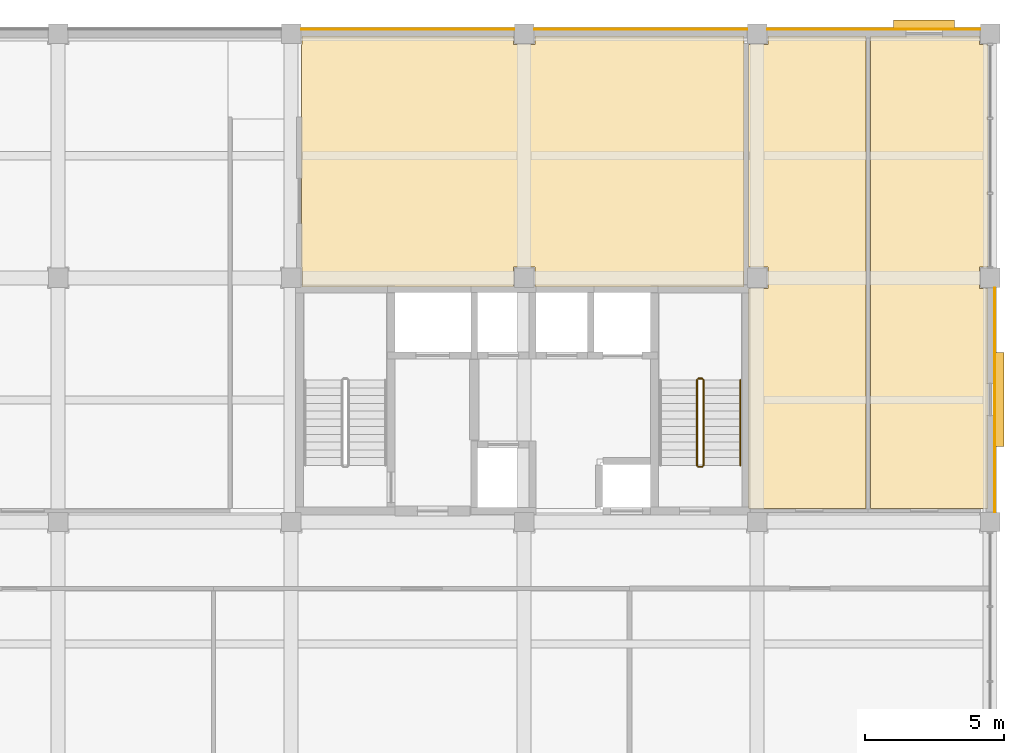
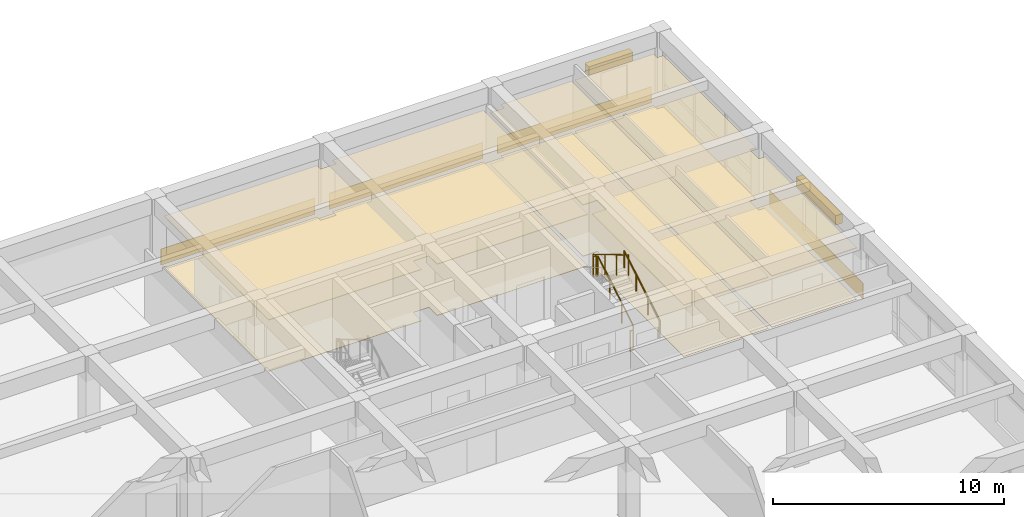
# One storey, part 8 of 8: 10 coverings, 5 railings, 2 shading devices.
"""IFC4 building model written with IfcOpenShell, lengths in metres."""

from ifc_helpers import new_model, si_unit, direction, frame, origin, origin_2d, place, context, subcontext, project, spatial, polyline, rectangle, circle, outline, extrude, material, layer, layer_set, type_object, element, save


model = new_model("IFC4")

# Units and contexts
model_context = context("Model", 3, precision=1e-05, world=origin(), true_north=direction((0.0, 1.0)))
body_context = subcontext(model_context, "Body", "Model", "MODEL_VIEW")
ifc_project = project(units=[si_unit("LENGTHUNIT", "METRE"), si_unit("AREAUNIT", "SQUARE_METRE"), si_unit("VOLUMEUNIT", "CUBIC_METRE"), si_unit("PLANEANGLEUNIT", "RADIAN"), si_unit("MASSUNIT", "GRAM", prefix="KILO")], contexts=[model_context])

# Site, building, storey
site_placement = place(None, origin())
site = spatial("IfcSite", under=ifc_project, at=site_placement, CompositionType="ELEMENT")
building_placement = place(site_placement, origin())
building = spatial("IfcBuilding", under=site, at=building_placement, Name="Kemercrest Conservatory and Botanical Centre", CompositionType="ELEMENT")
storey_placement = place(building_placement, frame((0.0, 0.0, 24.800048828125)))
storey = spatial("IfcBuildingStorey", under=building, at=storey_placement, Name="L06", CompositionType="ELEMENT", Elevation=24.800048828125)

# Coverings
ifc_material_1 = material(Name="Glazed turquoise ceramic tile spandrel", Category="masonry")
ifc_layer_1 = layer(ifc_material_1, 0.028076171875)
ifc_layer_set_1 = layer_set([ifc_layer_1], Name="Glazed turquoise ceramic tile spandrel")
covering_type_1 = type_object("IfcCoveringType", Name="CV-CLD028", PredefinedType="CLADDING", material=ifc_layer_set_1)
covering_1_placement = place(storey_placement, origin())
element("IfcCovering", 1, at=covering_1_placement, inside=storey, type_object=covering_type_1, Name="Exterior stone spandrel cladding (WAL:L06:EXT-254)", PredefinedType="CLADDING", context=body_context, shape_type="SweptSolid", body=[
    extrude(outline(polyline([(176.14990234375, 105.159912109375), (176.177978515625, 105.159912109375), (176.177978515625, 113.239990234375), (176.14990234375, 113.239990234375), (176.14990234375, 105.159912109375)])), origin(), (0.0, 0.0, 1.0), 0.849853515625),
])
covering_2_placement = place(storey_placement, origin())
element("IfcCovering", 2, at=covering_2_placement, inside=storey, type_object=covering_type_1, Name="Exterior stone spandrel cladding (WAL:L06:EXT-255)", PredefinedType="CLADDING", context=body_context, shape_type="SweptSolid", body=[
    extrude(outline(polyline([(175.639892578125, 122.550048828125), (175.639892578125, 122.577880859375), (167.9599609375, 122.577880859375), (167.9599609375, 122.550048828125), (175.639892578125, 122.550048828125)])), origin(), (0.0, 0.0, 1.0), 0.849853515625),
])
covering_3_placement = place(storey_placement, origin())
element("IfcCovering", 3, at=covering_3_placement, inside=storey, type_object=covering_type_1, Name="Exterior stone spandrel cladding (WAL:L06:EXT-256)", PredefinedType="CLADDING", context=body_context, shape_type="SweptSolid", body=[
    extrude(outline(polyline([(167.239990234375, 122.550048828125), (167.239990234375, 122.577880859375), (159.56005859375, 122.577880859375), (159.56005859375, 122.550048828125), (167.239990234375, 122.550048828125)])), origin(), (0.0, 0.0, 1.0), 0.849853515625),
])
covering_4_placement = place(storey_placement, origin())
element("IfcCovering", 4, at=covering_4_placement, inside=storey, type_object=covering_type_1, Name="Exterior stone spandrel cladding (WAL:L06:EXT-257)", PredefinedType="CLADDING", context=body_context, shape_type="SweptSolid", body=[
    extrude(outline(polyline([(158.840087890625, 122.550048828125), (158.840087890625, 122.577880859375), (151.159912109375, 122.577880859375), (151.159912109375, 122.550048828125), (158.840087890625, 122.550048828125)])), origin(), (0.0, 0.0, 1.0), 0.849853515625),
])
ifc_material_2 = material(Name="Perforated acoustic gypsum and mineral-fibre suspended ceiling", Category="gypsum")
ifc_layer_2 = layer(ifc_material_2, 0.034912109375)
ifc_layer_set_2 = layer_set([ifc_layer_2], Name="Perforated acoustic gypsum and mineral-fibre suspended ceiling")
covering_type_2 = type_object("IfcCoveringType", Name="CV-CLG035", PredefinedType="CEILING", material=ifc_layer_set_2)
covering_5_placement = place(storey_placement, frame((0.0, 0.0, 2.699951171875)))
element("IfcCovering", 5, at=covering_5_placement, inside=storey, type_object=covering_type_2, Name="Herbarium Archival Vault suspended acoustic ceiling", PredefinedType="CEILING", context=body_context, shape_type="SweptSolid", body=[
    extrude(outline(polyline([(159.590087890625, 113.280029296875), (167.1201171875, 113.280029296875), (167.1201171875, 122.320068359375), (159.590087890625, 122.320068359375), (159.590087890625, 122.010009765625), (158.81005859375, 122.010009765625), (158.81005859375, 122.320068359375), (151.18994140625, 122.320068359375), (151.18994140625, 122.010009765625), (151.179931640625, 122.010009765625), (151.179931640625, 113.989990234375), (151.18994140625, 113.989990234375), (151.18994140625, 113.280029296875), (158.81005859375, 113.280029296875), (158.81005859375, 113.989990234375), (159.590087890625, 113.989990234375), (159.590087890625, 113.280029296875)])), origin(), (0.0, 0.0, 1.0), 0.034912109375),
])
covering_6_placement = place(storey_placement, frame((0.0, 0.0, 2.699951171875)))
element("IfcCovering", 6, at=covering_6_placement, inside=storey, type_object=covering_type_2, Name="Staff Washroom suspended acoustic ceiling", PredefinedType="CEILING", context=body_context, shape_type="SweptSolid", body=[
    extrude(outline(polyline([(167.280029296875, 105.280029296875), (171.52001953125, 105.280029296875), (171.52001953125, 122.320068359375), (167.989990234375, 122.320068359375), (167.989990234375, 122.010009765625), (167.280029296875, 122.010009765625), (167.280029296875, 113.989990234375), (167.989990234375, 113.989990234375), (167.989990234375, 113.2099609375), (167.280029296875, 113.2099609375), (167.280029296875, 105.280029296875)])), origin(), (0.0, 0.0, 1.0), 0.034912109375),
])
covering_7_placement = place(storey_placement, frame((0.0, 0.0, 2.699951171875)))
element("IfcCovering", 7, at=covering_7_placement, inside=storey, type_object=covering_type_2, Name="Accessible Washroom suspended acoustic ceiling", PredefinedType="CEILING", context=body_context, shape_type="SweptSolid", body=[
    extrude(outline(polyline([(171.679931640625, 105.280029296875), (175.919921875, 105.280029296875), (175.919921875, 113.2099609375), (175.610107421875, 113.2099609375), (175.610107421875, 113.989990234375), (175.919921875, 113.989990234375), (175.919921875, 122.010009765625), (175.610107421875, 122.010009765625), (175.610107421875, 122.320068359375), (171.679931640625, 122.320068359375), (171.679931640625, 105.280029296875)])), origin(), (0.0, 0.0, 1.0), 0.034912109375),
])
ifc_material_3 = material(Name="Polished limestone terrazzo and seamless laboratory epoxy flooring", Category="masonry")
ifc_layer_3 = layer(ifc_material_3, 0.02001953125)
ifc_layer_set_3 = layer_set([ifc_layer_3], Name="Polished limestone terrazzo and seamless laboratory epoxy flooring")
covering_type_3 = type_object("IfcCoveringType", Name="CV-FLR020", PredefinedType="FLOORING", material=ifc_layer_set_3)
covering_8_placement = place(storey_placement, origin())
element("IfcCovering", 8, at=covering_8_placement, inside=storey, type_object=covering_type_3, Name="Herbarium Archival Vault floor finish", PredefinedType="FLOORING", context=body_context, shape_type="SweptSolid", body=[
    extrude(outline(polyline([(159.590087890625, 113.280029296875), (167.1201171875, 113.280029296875), (167.1201171875, 122.320068359375), (159.590087890625, 122.320068359375), (159.590087890625, 122.010009765625), (158.81005859375, 122.010009765625), (158.81005859375, 122.320068359375), (151.18994140625, 122.320068359375), (151.18994140625, 122.010009765625), (151.179931640625, 122.010009765625), (151.179931640625, 113.989990234375), (151.18994140625, 113.989990234375), (151.18994140625, 113.280029296875), (158.81005859375, 113.280029296875), (158.81005859375, 113.989990234375), (159.590087890625, 113.989990234375), (159.590087890625, 113.280029296875)])), origin(), (0.0, 0.0, 1.0), 0.02001953125),
])
covering_9_placement = place(storey_placement, origin())
element("IfcCovering", 9, at=covering_9_placement, inside=storey, type_object=covering_type_3, Name="Staff Washroom floor finish", PredefinedType="FLOORING", context=body_context, shape_type="SweptSolid", body=[
    extrude(outline(polyline([(167.280029296875, 105.280029296875), (171.52001953125, 105.280029296875), (171.52001953125, 122.320068359375), (167.989990234375, 122.320068359375), (167.989990234375, 122.010009765625), (167.280029296875, 122.010009765625), (167.280029296875, 113.989990234375), (167.989990234375, 113.989990234375), (167.989990234375, 113.2099609375), (167.280029296875, 113.2099609375), (167.280029296875, 105.280029296875)])), origin(), (0.0, 0.0, 1.0), 0.02001953125),
])
covering_10_placement = place(storey_placement, origin())
element("IfcCovering", 10, at=covering_10_placement, inside=storey, type_object=covering_type_3, Name="Accessible Washroom floor finish", PredefinedType="FLOORING", context=body_context, shape_type="SweptSolid", body=[
    extrude(outline(polyline([(171.679931640625, 105.280029296875), (175.919921875, 105.280029296875), (175.919921875, 113.2099609375), (175.610107421875, 113.2099609375), (175.610107421875, 113.989990234375), (175.919921875, 113.989990234375), (175.919921875, 122.010009765625), (175.610107421875, 122.010009765625), (175.610107421875, 122.320068359375), (171.679931640625, 122.320068359375), (171.679931640625, 105.280029296875)])), origin(), (0.0, 0.0, 1.0), 0.02001953125),
])

# Railings
ifc_material_4 = material(Name="Painted galvanized steel tubular stair guardrail", Category="steel")
railing_type_1 = type_object("IfcRailingType", Name="GR-STR110", PredefinedType="GUARDRAIL", material=ifc_material_4)
railing_1_placement = place(storey_placement, frame((165.669921875, 106.840087890625, 0.16650390625)))
element("IfcRailing", 11, at=railing_1_placement, inside=storey, type_object=railing_type_1, Name="L06 ST-V4B stair guard 1", PredefinedType="GUARDRAIL", context=body_context, shape_type="SweptSolid", body=[
    extrude(circle(Radius=0.02392578125, at=origin_2d()), frame((0.0, 0.0, 1.076171875), z_axis=(0.0, 0.859260807169, 0.511537745687), x_axis=(-1.0, 0.0, 0.0)), (0.0, 0.0, 1.0), 3.584228515625),
    extrude(circle(Radius=0.02099609375, at=origin_2d()), origin(), (0.0, 0.0, 1.0), 1.052001953125),
    extrude(circle(Radius=0.02099609375, at=origin_2d()), frame((0.0, 1.026611328125, 0.611083984375)), (0.0, 0.0, 1.0), 1.052001953125),
    extrude(circle(Radius=0.02099609375, at=origin_2d()), frame((0.0, 2.05322265625, 1.222412109375)), (0.0, 0.0, 1.0), 1.052001953125),
    extrude(circle(Radius=0.02099609375, at=origin_2d()), frame((0.0, 3.079833984375, 1.83349609375)), (0.0, 0.0, 1.0), 1.052001953125),
])
railing_2_placement = place(storey_placement, frame((165.6201171875, 109.969970703125, 2.0)))
element("IfcRailing", 12, at=railing_2_placement, inside=storey, type_object=railing_type_1, Name="L06 ST-V4B stair guard 2", PredefinedType="GUARDRAIL", context=body_context, shape_type="SweptSolid", body=[
    extrude(circle(Radius=0.02392578125, at=origin_2d()), frame((0.0, 0.0, 1.076171875), z_axis=(-1.0, 0.0, 0.0), x_axis=(0.0, -1.0, 0.0)), (0.0, 0.0, 1.0), 0.14013671875),
    extrude(circle(Radius=0.02099609375, at=origin_2d()), origin(), (0.0, 0.0, 1.0), 1.052001953125),
    extrude(circle(Radius=0.02099609375, at=origin_2d()), frame((-0.14013671875, 0.0, 0.0)), (0.0, 0.0, 1.0), 1.052001953125),
])
railing_3_placement = place(storey_placement, frame((165.429931640625, 109.919921875, 2.16650390625)))
element("IfcRailing", 13, at=railing_3_placement, inside=storey, type_object=railing_type_1, Name="L06 ST-V4B stair guard 3", PredefinedType="GUARDRAIL", context=body_context, shape_type="SweptSolid", body=[
    extrude(circle(Radius=0.02392578125, at=origin_2d()), frame((0.0, 0.0, 1.076171875), z_axis=(0.0, -0.859260807169, 0.511537745687), x_axis=(1.0, 0.0, 0.0)), (0.0, 0.0, 1.0), 3.584228515625),
    extrude(circle(Radius=0.02099609375, at=origin_2d()), origin(), (0.0, 0.0, 1.0), 1.052001953125),
    extrude(circle(Radius=0.02099609375, at=origin_2d()), frame((0.0, -1.026611328125, 0.611083984375)), (0.0, 0.0, 1.0), 1.052001953125),
    extrude(circle(Radius=0.02099609375, at=origin_2d()), frame((0.0, -2.05322265625, 1.222412109375)), (0.0, 0.0, 1.0), 1.052001953125),
    extrude(circle(Radius=0.02099609375, at=origin_2d()), frame((0.0, -3.079833984375, 1.83349609375)), (0.0, 0.0, 1.0), 1.052001953125),
])
railing_4_placement = place(storey_placement, frame((165.6201171875, 106.7900390625, 0.0)))
element("IfcRailing", 14, at=railing_4_placement, inside=storey, type_object=railing_type_1, Name="L06 ST-V4B stair guard 4", PredefinedType="GUARDRAIL", context=body_context, shape_type="SweptSolid", body=[
    extrude(circle(Radius=0.02392578125, at=origin_2d()), frame((0.0, 0.0, 1.076171875), z_axis=(-1.0, 0.0, 0.0), x_axis=(0.0, -1.0, 0.0)), (0.0, 0.0, 1.0), 0.14013671875),
    extrude(circle(Radius=0.02099609375, at=origin_2d()), origin(), (0.0, 0.0, 1.0), 1.052001953125),
    extrude(circle(Radius=0.02099609375, at=origin_2d()), frame((-0.14013671875, 0.0, 0.0)), (0.0, 0.0, 1.0), 1.052001953125),
])
ifc_material_5 = material(Name="Brushed stainless steel wall-mounted handrail", Category="steel")
railing_type_2 = type_object("IfcRailingType", Name="HR-STR090", PredefinedType="HANDRAIL", material=ifc_material_5)
railing_5_placement = place(storey_placement, frame((166.989990234375, 106.840087890625, 0.16650390625)))
element("IfcRailing", 15, at=railing_5_placement, inside=storey, type_object=railing_type_2, Name="L06 ST-V4B stair handrail 1", PredefinedType="HANDRAIL", context=body_context, shape_type="SweptSolid", body=[
    extrude(circle(Radius=0.02392578125, at=origin_2d()), frame((0.0, 0.0, 0.8759765625), z_axis=(0.0, 0.859260807169, 0.511537745687), x_axis=(-1.0, 0.0, 0.0)), (0.0, 0.0, 1.0), 3.584228515625),
    extrude(circle(Radius=0.02099609375, at=origin_2d()), origin(), (0.0, 0.0, 1.0), 0.851806640625),
    extrude(circle(Radius=0.02099609375, at=origin_2d()), frame((0.0, 1.026611328125, 0.611083984375)), (0.0, 0.0, 1.0), 0.851806640625),
    extrude(circle(Radius=0.02099609375, at=origin_2d()), frame((0.0, 2.05322265625, 1.222412109375)), (0.0, 0.0, 1.0), 0.851806640625),
    extrude(circle(Radius=0.02099609375, at=origin_2d()), frame((0.0, 3.079833984375, 1.83349609375)), (0.0, 0.0, 1.0), 0.851806640625),
])

# Shading devices
ifc_material_6 = material(Name="Architectural bronze-anodized extruded aluminium", Category="aluminium")
shading_device_type_1 = type_object("IfcShadingDeviceType", Name="SH-JL01", PredefinedType="JALOUSIE", material=ifc_material_6)
shading_device_1_placement = place(storey_placement, frame((173.6201171875, 122.722900390625, 2.53515625), z_axis=(0.0, 0.0, 1.0), x_axis=(-1.0, 0.0, 0.0)))
element("IfcShadingDevice", 16, at=shading_device_1_placement, inside=storey, type_object=shading_device_type_1, Name="Solar control louvre visor SH-JL01 (WIN:L06:EXT-255)", PredefinedType="JALOUSIE", context=body_context, shape_type="SweptSolid", body=[
    extrude(rectangle(XDim=2.199951171875, YDim=0.35009765625, at=origin_2d()), origin(), (0.0, 0.0, 1.0), 0.449951171875),
])
shading_device_type_2 = type_object("IfcShadingDeviceType", Name="SH-JL05", PredefinedType="JALOUSIE", material=ifc_material_6)
shading_device_2_placement = place(storey_placement, frame((176.322998046875, 109.219970703125, 2.469970703125), z_axis=(0.0, 0.0, 1.0), x_axis=(0.0, 1.0, 0.0)))
element("IfcShadingDevice", 17, at=shading_device_2_placement, inside=storey, type_object=shading_device_type_2, Name="Solar control louvre visor SH-JL05 (WIN:L06:EXT-254)", PredefinedType="JALOUSIE", context=body_context, shape_type="SweptSolid", body=[
    extrude(rectangle(XDim=3.39990234375, YDim=0.35009765625, at=origin_2d()), origin(), (0.0, 0.0, 1.0), 0.5),
])

save(model, "model.ifc")
